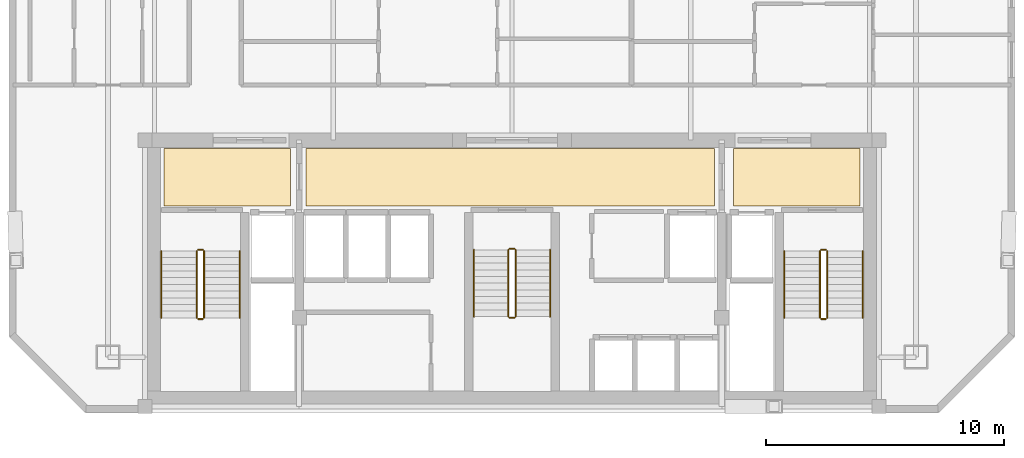
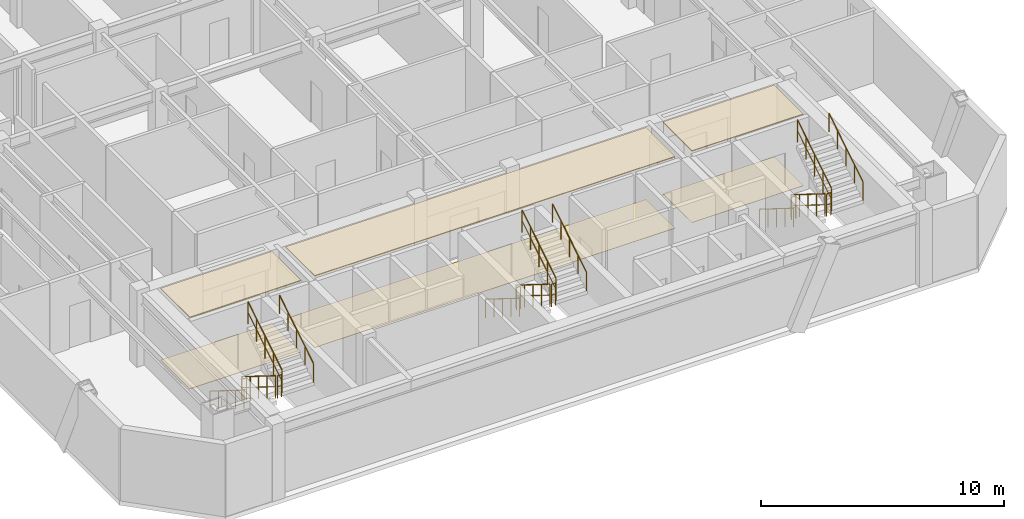
# One storey, part 7 of 7: 18 railings, 6 coverings.
"""IFC4 building model written with IfcOpenShell, lengths in metres."""

from ifc_helpers import new_model, si_unit, direction, frame, origin, origin_2d, place, context, subcontext, project, spatial, polyline, circle, outline, extrude, material, layer, layer_set, type_object, element, save


model = new_model("IFC4")

# Units and contexts
model_context = context("Model", 3, precision=1e-05, world=origin(), true_north=direction((0.0, 1.0)))
body_context = subcontext(model_context, "Body", "Model", "MODEL_VIEW")
ifc_project = project(units=[si_unit("LENGTHUNIT", "METRE"), si_unit("AREAUNIT", "SQUARE_METRE"), si_unit("VOLUMEUNIT", "CUBIC_METRE"), si_unit("PLANEANGLEUNIT", "RADIAN"), si_unit("MASSUNIT", "GRAM", prefix="KILO")], contexts=[model_context])

# Site, building, storey
site_placement = place(None, origin())
site = spatial("IfcSite", under=ifc_project, at=site_placement, CompositionType="ELEMENT")
building_placement = place(site_placement, origin())
building = spatial("IfcBuilding", under=site, at=building_placement, Name="Ventersveld Concourse Tower", CompositionType="ELEMENT")
storey_placement = place(building_placement, frame((0.0, 0.0, 238.800048828125)))
storey = spatial("IfcBuildingStorey", under=building, at=storey_placement, Name="L59", CompositionType="ELEMENT", Elevation=238.800048828125)

# Coverings
ifc_material_1 = material(Name="Mineral-fibre acoustic ceiling tile", Category="gypsum")
ifc_layer_1 = layer(ifc_material_1, 0.0400390625)
ifc_layer_set_1 = layer_set([ifc_layer_1], Name="Mineral-fibre acoustic ceiling tile")
covering_type_1 = type_object("IfcCoveringType", Name="COV-CEIL-ACOUSTIC", PredefinedType="CEILING", material=ifc_layer_set_1)
covering_1_placement = place(storey_placement, frame((0.0, 0.0, 3.58984375)))
element("IfcCovering", 1, at=covering_1_placement, inside=storey, type_object=covering_type_1, Name="L59 North Lift Lobby Acoustic Ceiling", PredefinedType="CEILING", context=body_context, shape_type="SweptSolid", body=[
    extrude(outline(polyline([(20.10009765625, 8.699951171875), (37.25, 8.699951171875), (37.25, 11.10009765625), (20.10009765625, 11.10009765625), (20.10009765625, 8.699951171875)])), origin(), (0.0, 0.0, 1.0), 0.0400390625),
])
covering_2_placement = place(storey_placement, frame((0.0, 0.0, 3.58984375)))
element("IfcCovering", 2, at=covering_2_placement, inside=storey, type_object=covering_type_1, Name="L59 West Firefighting Lobby Acoustic Ceiling", PredefinedType="CEILING", context=body_context, shape_type="SweptSolid", body=[
    extrude(outline(polyline([(14.14990234375, 8.699951171875), (19.449951171875, 8.699951171875), (19.449951171875, 11.10009765625), (14.14990234375, 11.10009765625), (14.14990234375, 8.699951171875)])), origin(), (0.0, 0.0, 1.0), 0.0400390625),
])
covering_3_placement = place(storey_placement, frame((0.0, 0.0, 3.58984375)))
element("IfcCovering", 3, at=covering_3_placement, inside=storey, type_object=covering_type_1, Name="L59 East Firefighting Lobby Acoustic Ceiling", PredefinedType="CEILING", context=body_context, shape_type="SweptSolid", body=[
    extrude(outline(polyline([(38.050048828125, 8.699951171875), (43.35009765625, 8.699951171875), (43.35009765625, 11.10009765625), (38.050048828125, 11.10009765625), (38.050048828125, 8.699951171875)])), origin(), (0.0, 0.0, 1.0), 0.0400390625),
])
ifc_material_2 = material(Name="Polished Highveld granite terrazzo", Category="masonry")
ifc_layer_2 = layer(ifc_material_2, 0.02001953125)
ifc_layer_set_2 = layer_set([ifc_layer_2], Name="Polished Highveld granite terrazzo")
covering_type_2 = type_object("IfcCoveringType", Name="COV-FLOOR-TERRAZZO", PredefinedType="FLOORING", material=ifc_layer_set_2)
covering_4_placement = place(storey_placement, origin())
element("IfcCovering", 4, at=covering_4_placement, inside=storey, type_object=covering_type_2, Name="L59 North Lift Lobby Terrazzo Flooring", PredefinedType="FLOORING", context=body_context, shape_type="SweptSolid", body=[
    extrude(outline(polyline([(20.10009765625, 8.699951171875), (37.25, 8.699951171875), (37.25, 11.10009765625), (20.10009765625, 11.10009765625), (20.10009765625, 8.699951171875)])), origin(), (0.0, 0.0, 1.0), 0.02001953125),
])
covering_5_placement = place(storey_placement, origin())
element("IfcCovering", 5, at=covering_5_placement, inside=storey, type_object=covering_type_2, Name="L59 West Firefighting Lobby Terrazzo Flooring", PredefinedType="FLOORING", context=body_context, shape_type="SweptSolid", body=[
    extrude(outline(polyline([(14.14990234375, 8.699951171875), (19.449951171875, 8.699951171875), (19.449951171875, 11.10009765625), (14.14990234375, 11.10009765625), (14.14990234375, 8.699951171875)])), origin(), (0.0, 0.0, 1.0), 0.02001953125),
])
covering_6_placement = place(storey_placement, origin())
element("IfcCovering", 6, at=covering_6_placement, inside=storey, type_object=covering_type_2, Name="L59 East Firefighting Lobby Terrazzo Flooring", PredefinedType="FLOORING", context=body_context, shape_type="SweptSolid", body=[
    extrude(outline(polyline([(38.050048828125, 8.699951171875), (43.35009765625, 8.699951171875), (43.35009765625, 11.10009765625), (38.050048828125, 11.10009765625), (38.050048828125, 8.699951171875)])), origin(), (0.0, 0.0, 1.0), 0.02001953125),
])

# Railings
ifc_material_3 = material(Name="Brushed stainless steel 316", Category="steel")
railing_type_1 = type_object("IfcRailingType", Name="GD-BAL-115", PredefinedType="GUARDRAIL", material=ifc_material_3)
railing_1_placement = place(storey_placement, frame((15.530029296875, 6.800048828125, 0.175048828125)))
element("IfcRailing", 7, at=railing_1_placement, inside=storey, type_object=railing_type_1, Name="L59 ST-01 stair guard 1", PredefinedType="GUARDRAIL", context=body_context, shape_type="SweptSolid", body=[
    extrude(circle(Radius=0.02392578125, at=origin_2d()), frame((0.0, 0.0, 1.1259765625), z_axis=(0.0, -0.848002457836, 0.529992293815), x_axis=(1.0, 0.0, 0.0)), (0.0, 0.0, 1.0), 3.302001953125),
    extrude(circle(Radius=0.01611328125, at=origin_2d()), frame((0.0, 0.0, 0.574951171875), z_axis=(0.0, -0.848002457836, 0.529992293815), x_axis=(1.0, 0.0, 0.0)), (0.0, 0.0, 1.0), 3.302001953125),
    extrude(circle(Radius=0.02099609375, at=origin_2d()), origin(), (0.0, 0.0, 1.0), 1.101806640625),
    extrude(circle(Radius=0.02099609375, at=origin_2d()), frame((0.0, -0.699951171875, 0.4375)), (0.0, 0.0, 1.0), 1.101806640625),
    extrude(circle(Radius=0.02099609375, at=origin_2d()), frame((0.0, -1.39990234375, 0.875)), (0.0, 0.0, 1.0), 1.101806640625),
    extrude(circle(Radius=0.02099609375, at=origin_2d()), frame((0.0, -2.10009765625, 1.3125)), (0.0, 0.0, 1.0), 1.101806640625),
    extrude(circle(Radius=0.02099609375, at=origin_2d()), frame((0.0, -2.800048828125, 1.75)), (0.0, 0.0, 1.0), 1.101806640625),
])
railing_2_placement = place(storey_placement, frame((15.580078125, 3.949951171875, 1.925048828125)))
element("IfcRailing", 8, at=railing_2_placement, inside=storey, type_object=railing_type_1, Name="L59 ST-01 stair guard 2", PredefinedType="GUARDRAIL", context=body_context, shape_type="SweptSolid", body=[
    extrude(circle(Radius=0.02392578125, at=origin_2d()), frame((0.0, 0.0, 1.1259765625), z_axis=(1.0, 0.0, 0.0), x_axis=(0.0, 1.0, 0.0)), (0.0, 0.0, 1.0), 0.199951171875),
    extrude(circle(Radius=0.01611328125, at=origin_2d()), frame((0.0, 0.0, 0.574951171875), z_axis=(1.0, 0.0, 0.0), x_axis=(0.0, 1.0, 0.0)), (0.0, 0.0, 1.0), 0.199951171875),
    extrude(circle(Radius=0.02099609375, at=origin_2d()), origin(), (0.0, 0.0, 1.0), 1.101806640625),
    extrude(circle(Radius=0.02099609375, at=origin_2d()), frame((0.199951171875, 0.0, 0.0)), (0.0, 0.0, 1.0), 1.101806640625),
])
railing_3_placement = place(storey_placement, frame((15.830078125, 4.0, 2.099853515625)))
element("IfcRailing", 9, at=railing_3_placement, inside=storey, type_object=railing_type_1, Name="L59 ST-01 stair guard 3", PredefinedType="GUARDRAIL", context=body_context, shape_type="SweptSolid", body=[
    extrude(circle(Radius=0.02392578125, at=origin_2d()), frame((0.0, 0.0, 1.1259765625), z_axis=(0.0, 0.848002457836, 0.529992293815), x_axis=(-1.0, 0.0, 0.0)), (0.0, 0.0, 1.0), 3.302001953125),
    extrude(circle(Radius=0.01611328125, at=origin_2d()), frame((0.0, 0.0, 0.574951171875), z_axis=(0.0, 0.848002457836, 0.529992293815), x_axis=(-1.0, 0.0, 0.0)), (0.0, 0.0, 1.0), 3.302001953125),
    extrude(circle(Radius=0.02099609375, at=origin_2d()), origin(), (0.0, 0.0, 1.0), 1.101806640625),
    extrude(circle(Radius=0.02099609375, at=origin_2d()), frame((0.0, 0.699951171875, 0.4375)), (0.0, 0.0, 1.0), 1.101806640625),
    extrude(circle(Radius=0.02099609375, at=origin_2d()), frame((0.0, 1.39990234375, 0.875)), (0.0, 0.0, 1.0), 1.101806640625),
    extrude(circle(Radius=0.02099609375, at=origin_2d()), frame((0.0, 2.10009765625, 1.3125)), (0.0, 0.0, 1.0), 1.101806640625),
    extrude(circle(Radius=0.02099609375, at=origin_2d()), frame((0.0, 2.800048828125, 1.75)), (0.0, 0.0, 1.0), 1.101806640625),
])
railing_4_placement = place(storey_placement, frame((15.580078125, 6.85009765625, 0.0)))
element("IfcRailing", 10, at=railing_4_placement, inside=storey, type_object=railing_type_1, Name="L59 ST-01 stair guard 4", PredefinedType="GUARDRAIL", context=body_context, shape_type="SweptSolid", body=[
    extrude(circle(Radius=0.02392578125, at=origin_2d()), frame((0.0, 0.0, 1.1259765625), z_axis=(1.0, 0.0, 0.0), x_axis=(0.0, 1.0, 0.0)), (0.0, 0.0, 1.0), 0.199951171875),
    extrude(circle(Radius=0.01611328125, at=origin_2d()), frame((0.0, 0.0, 0.574951171875), z_axis=(1.0, 0.0, 0.0), x_axis=(0.0, 1.0, 0.0)), (0.0, 0.0, 1.0), 0.199951171875),
    extrude(circle(Radius=0.02099609375, at=origin_2d()), origin(), (0.0, 0.0, 1.0), 1.101806640625),
    extrude(circle(Radius=0.02099609375, at=origin_2d()), frame((0.199951171875, 0.0, 0.0)), (0.0, 0.0, 1.0), 1.101806640625),
])
railing_5_placement = place(storey_placement, frame((41.669921875, 6.800048828125, 0.175048828125)))
element("IfcRailing", 11, at=railing_5_placement, inside=storey, type_object=railing_type_1, Name="L59 ST-02 stair guard 1", PredefinedType="GUARDRAIL", context=body_context, shape_type="SweptSolid", body=[
    extrude(circle(Radius=0.02392578125, at=origin_2d()), frame((0.0, 0.0, 1.1259765625), z_axis=(0.0, -0.848002457836, 0.529992293815), x_axis=(1.0, 0.0, 0.0)), (0.0, 0.0, 1.0), 3.302001953125),
    extrude(circle(Radius=0.01611328125, at=origin_2d()), frame((0.0, 0.0, 0.574951171875), z_axis=(0.0, -0.848002457836, 0.529992293815), x_axis=(1.0, 0.0, 0.0)), (0.0, 0.0, 1.0), 3.302001953125),
    extrude(circle(Radius=0.02099609375, at=origin_2d()), origin(), (0.0, 0.0, 1.0), 1.101806640625),
    extrude(circle(Radius=0.02099609375, at=origin_2d()), frame((0.0, -0.699951171875, 0.4375)), (0.0, 0.0, 1.0), 1.101806640625),
    extrude(circle(Radius=0.02099609375, at=origin_2d()), frame((0.0, -1.39990234375, 0.875)), (0.0, 0.0, 1.0), 1.101806640625),
    extrude(circle(Radius=0.02099609375, at=origin_2d()), frame((0.0, -2.10009765625, 1.3125)), (0.0, 0.0, 1.0), 1.101806640625),
    extrude(circle(Radius=0.02099609375, at=origin_2d()), frame((0.0, -2.800048828125, 1.75)), (0.0, 0.0, 1.0), 1.101806640625),
])
railing_6_placement = place(storey_placement, frame((41.719970703125, 3.949951171875, 1.925048828125)))
element("IfcRailing", 12, at=railing_6_placement, inside=storey, type_object=railing_type_1, Name="L59 ST-02 stair guard 2", PredefinedType="GUARDRAIL", context=body_context, shape_type="SweptSolid", body=[
    extrude(circle(Radius=0.02392578125, at=origin_2d()), frame((0.0, 0.0, 1.1259765625), z_axis=(1.0, 0.0, 0.0), x_axis=(0.0, 1.0, 0.0)), (0.0, 0.0, 1.0), 0.199951171875),
    extrude(circle(Radius=0.01611328125, at=origin_2d()), frame((0.0, 0.0, 0.574951171875), z_axis=(1.0, 0.0, 0.0), x_axis=(0.0, 1.0, 0.0)), (0.0, 0.0, 1.0), 0.199951171875),
    extrude(circle(Radius=0.02099609375, at=origin_2d()), origin(), (0.0, 0.0, 1.0), 1.101806640625),
    extrude(circle(Radius=0.02099609375, at=origin_2d()), frame((0.199951171875, 0.0, 0.0)), (0.0, 0.0, 1.0), 1.101806640625),
])
railing_7_placement = place(storey_placement, frame((41.969970703125, 4.0, 2.099853515625)))
element("IfcRailing", 13, at=railing_7_placement, inside=storey, type_object=railing_type_1, Name="L59 ST-02 stair guard 3", PredefinedType="GUARDRAIL", context=body_context, shape_type="SweptSolid", body=[
    extrude(circle(Radius=0.02392578125, at=origin_2d()), frame((0.0, 0.0, 1.1259765625), z_axis=(0.0, 0.848002457836, 0.529992293815), x_axis=(-1.0, 0.0, 0.0)), (0.0, 0.0, 1.0), 3.302001953125),
    extrude(circle(Radius=0.01611328125, at=origin_2d()), frame((0.0, 0.0, 0.574951171875), z_axis=(0.0, 0.848002457836, 0.529992293815), x_axis=(-1.0, 0.0, 0.0)), (0.0, 0.0, 1.0), 3.302001953125),
    extrude(circle(Radius=0.02099609375, at=origin_2d()), origin(), (0.0, 0.0, 1.0), 1.101806640625),
    extrude(circle(Radius=0.02099609375, at=origin_2d()), frame((0.0, 0.699951171875, 0.4375)), (0.0, 0.0, 1.0), 1.101806640625),
    extrude(circle(Radius=0.02099609375, at=origin_2d()), frame((0.0, 1.39990234375, 0.875)), (0.0, 0.0, 1.0), 1.101806640625),
    extrude(circle(Radius=0.02099609375, at=origin_2d()), frame((0.0, 2.10009765625, 1.3125)), (0.0, 0.0, 1.0), 1.101806640625),
    extrude(circle(Radius=0.02099609375, at=origin_2d()), frame((0.0, 2.800048828125, 1.75)), (0.0, 0.0, 1.0), 1.101806640625),
])
railing_8_placement = place(storey_placement, frame((41.719970703125, 6.85009765625, 0.0)))
element("IfcRailing", 14, at=railing_8_placement, inside=storey, type_object=railing_type_1, Name="L59 ST-02 stair guard 4", PredefinedType="GUARDRAIL", context=body_context, shape_type="SweptSolid", body=[
    extrude(circle(Radius=0.02392578125, at=origin_2d()), frame((0.0, 0.0, 1.1259765625), z_axis=(1.0, 0.0, 0.0), x_axis=(0.0, 1.0, 0.0)), (0.0, 0.0, 1.0), 0.199951171875),
    extrude(circle(Radius=0.01611328125, at=origin_2d()), frame((0.0, 0.0, 0.574951171875), z_axis=(1.0, 0.0, 0.0), x_axis=(0.0, 1.0, 0.0)), (0.0, 0.0, 1.0), 0.199951171875),
    extrude(circle(Radius=0.02099609375, at=origin_2d()), origin(), (0.0, 0.0, 1.0), 1.101806640625),
    extrude(circle(Radius=0.02099609375, at=origin_2d()), frame((0.199951171875, 0.0, 0.0)), (0.0, 0.0, 1.0), 1.101806640625),
])
railing_9_placement = place(storey_placement, frame((28.60009765625, 6.85009765625, 0.175048828125)))
element("IfcRailing", 15, at=railing_9_placement, inside=storey, type_object=railing_type_1, Name="L59 ST-03 stair guard 1", PredefinedType="GUARDRAIL", context=body_context, shape_type="SweptSolid", body=[
    extrude(circle(Radius=0.02392578125, at=origin_2d()), frame((0.0, 0.0, 1.1259765625), z_axis=(0.0, -0.848002457836, 0.529992293815), x_axis=(1.0, 0.0, 0.0)), (0.0, 0.0, 1.0), 3.302001953125),
    extrude(circle(Radius=0.01611328125, at=origin_2d()), frame((0.0, 0.0, 0.574951171875), z_axis=(0.0, -0.848002457836, 0.529992293815), x_axis=(1.0, 0.0, 0.0)), (0.0, 0.0, 1.0), 3.302001953125),
    extrude(circle(Radius=0.02099609375, at=origin_2d()), origin(), (0.0, 0.0, 1.0), 1.101806640625),
    extrude(circle(Radius=0.02099609375, at=origin_2d()), frame((0.0, -0.699951171875, 0.4375)), (0.0, 0.0, 1.0), 1.101806640625),
    extrude(circle(Radius=0.02099609375, at=origin_2d()), frame((0.0, -1.39990234375, 0.875)), (0.0, 0.0, 1.0), 1.101806640625),
    extrude(circle(Radius=0.02099609375, at=origin_2d()), frame((0.0, -2.10009765625, 1.3125)), (0.0, 0.0, 1.0), 1.101806640625),
    extrude(circle(Radius=0.02099609375, at=origin_2d()), frame((0.0, -2.800048828125, 1.75)), (0.0, 0.0, 1.0), 1.101806640625),
])
railing_10_placement = place(storey_placement, frame((28.64990234375, 4.0, 1.925048828125)))
element("IfcRailing", 16, at=railing_10_placement, inside=storey, type_object=railing_type_1, Name="L59 ST-03 stair guard 2", PredefinedType="GUARDRAIL", context=body_context, shape_type="SweptSolid", body=[
    extrude(circle(Radius=0.02392578125, at=origin_2d()), frame((0.0, 0.0, 1.1259765625), z_axis=(1.0, 0.0, 0.0), x_axis=(0.0, 1.0, 0.0)), (0.0, 0.0, 1.0), 0.2001953125),
    extrude(circle(Radius=0.01611328125, at=origin_2d()), frame((0.0, 0.0, 0.574951171875), z_axis=(1.0, 0.0, 0.0), x_axis=(0.0, 1.0, 0.0)), (0.0, 0.0, 1.0), 0.2001953125),
    extrude(circle(Radius=0.02099609375, at=origin_2d()), origin(), (0.0, 0.0, 1.0), 1.101806640625),
    extrude(circle(Radius=0.02099609375, at=origin_2d()), frame((0.2001953125, 0.0, 0.0)), (0.0, 0.0, 1.0), 1.101806640625),
])
railing_11_placement = place(storey_placement, frame((28.89990234375, 4.050048828125, 2.099853515625)))
element("IfcRailing", 17, at=railing_11_placement, inside=storey, type_object=railing_type_1, Name="L59 ST-03 stair guard 3", PredefinedType="GUARDRAIL", context=body_context, shape_type="SweptSolid", body=[
    extrude(circle(Radius=0.02392578125, at=origin_2d()), frame((0.0, 0.0, 1.1259765625), z_axis=(0.0, 0.848002457836, 0.529992293815), x_axis=(-1.0, 0.0, 0.0)), (0.0, 0.0, 1.0), 3.302001953125),
    extrude(circle(Radius=0.01611328125, at=origin_2d()), frame((0.0, 0.0, 0.574951171875), z_axis=(0.0, 0.848002457836, 0.529992293815), x_axis=(-1.0, 0.0, 0.0)), (0.0, 0.0, 1.0), 3.302001953125),
    extrude(circle(Radius=0.02099609375, at=origin_2d()), origin(), (0.0, 0.0, 1.0), 1.101806640625),
    extrude(circle(Radius=0.02099609375, at=origin_2d()), frame((0.0, 0.699951171875, 0.4375)), (0.0, 0.0, 1.0), 1.101806640625),
    extrude(circle(Radius=0.02099609375, at=origin_2d()), frame((0.0, 1.39990234375, 0.875)), (0.0, 0.0, 1.0), 1.101806640625),
    extrude(circle(Radius=0.02099609375, at=origin_2d()), frame((0.0, 2.10009765625, 1.3125)), (0.0, 0.0, 1.0), 1.101806640625),
    extrude(circle(Radius=0.02099609375, at=origin_2d()), frame((0.0, 2.800048828125, 1.75)), (0.0, 0.0, 1.0), 1.101806640625),
])
railing_12_placement = place(storey_placement, frame((28.64990234375, 6.89990234375, 0.0)))
element("IfcRailing", 18, at=railing_12_placement, inside=storey, type_object=railing_type_1, Name="L59 ST-03 stair guard 4", PredefinedType="GUARDRAIL", context=body_context, shape_type="SweptSolid", body=[
    extrude(circle(Radius=0.02392578125, at=origin_2d()), frame((0.0, 0.0, 1.1259765625), z_axis=(1.0, 0.0, 0.0), x_axis=(0.0, 1.0, 0.0)), (0.0, 0.0, 1.0), 0.2001953125),
    extrude(circle(Radius=0.01611328125, at=origin_2d()), frame((0.0, 0.0, 0.574951171875), z_axis=(1.0, 0.0, 0.0), x_axis=(0.0, 1.0, 0.0)), (0.0, 0.0, 1.0), 0.2001953125),
    extrude(circle(Radius=0.02099609375, at=origin_2d()), origin(), (0.0, 0.0, 1.0), 1.101806640625),
    extrude(circle(Radius=0.02099609375, at=origin_2d()), frame((0.2001953125, 0.0, 0.0)), (0.0, 0.0, 1.0), 1.101806640625),
])
railing_type_2 = type_object("IfcRailingType", Name="HR-RMP-095", PredefinedType="HANDRAIL", material=ifc_material_3)
railing_13_placement = place(storey_placement, frame((14.030029296875, 6.800048828125, 0.175048828125)))
element("IfcRailing", 19, at=railing_13_placement, inside=storey, type_object=railing_type_2, Name="L59 ST-01 stair handrail 1", PredefinedType="HANDRAIL", context=body_context, shape_type="SweptSolid", body=[
    extrude(circle(Radius=0.02392578125, at=origin_2d()), frame((0.0, 0.0, 0.92578125), z_axis=(0.0, -0.848002457836, 0.529992293815), x_axis=(1.0, 0.0, 0.0)), (0.0, 0.0, 1.0), 3.302001953125),
    extrude(circle(Radius=0.02099609375, at=origin_2d()), origin(), (0.0, 0.0, 1.0), 0.90185546875),
    extrude(circle(Radius=0.02099609375, at=origin_2d()), frame((0.0, -0.699951171875, 0.4375)), (0.0, 0.0, 1.0), 0.90185546875),
    extrude(circle(Radius=0.02099609375, at=origin_2d()), frame((0.0, -1.39990234375, 0.875)), (0.0, 0.0, 1.0), 0.90185546875),
    extrude(circle(Radius=0.02099609375, at=origin_2d()), frame((0.0, -2.10009765625, 1.3125)), (0.0, 0.0, 1.0), 0.90185546875),
    extrude(circle(Radius=0.02099609375, at=origin_2d()), frame((0.0, -2.800048828125, 1.75)), (0.0, 0.0, 1.0), 0.90185546875),
])
railing_14_placement = place(storey_placement, frame((17.330078125, 4.0, 2.099853515625)))
element("IfcRailing", 20, at=railing_14_placement, inside=storey, type_object=railing_type_2, Name="L59 ST-01 stair handrail 2", PredefinedType="HANDRAIL", context=body_context, shape_type="SweptSolid", body=[
    extrude(circle(Radius=0.02392578125, at=origin_2d()), frame((0.0, 0.0, 0.92578125), z_axis=(0.0, 0.848002457836, 0.529992293815), x_axis=(-1.0, 0.0, 0.0)), (0.0, 0.0, 1.0), 3.302001953125),
    extrude(circle(Radius=0.02099609375, at=origin_2d()), origin(), (0.0, 0.0, 1.0), 0.90185546875),
    extrude(circle(Radius=0.02099609375, at=origin_2d()), frame((0.0, 0.699951171875, 0.4375)), (0.0, 0.0, 1.0), 0.90185546875),
    extrude(circle(Radius=0.02099609375, at=origin_2d()), frame((0.0, 1.39990234375, 0.875)), (0.0, 0.0, 1.0), 0.90185546875),
    extrude(circle(Radius=0.02099609375, at=origin_2d()), frame((0.0, 2.10009765625, 1.3125)), (0.0, 0.0, 1.0), 0.90185546875),
    extrude(circle(Radius=0.02099609375, at=origin_2d()), frame((0.0, 2.800048828125, 1.75)), (0.0, 0.0, 1.0), 0.90185546875),
])
railing_15_placement = place(storey_placement, frame((40.169921875, 6.800048828125, 0.175048828125)))
element("IfcRailing", 21, at=railing_15_placement, inside=storey, type_object=railing_type_2, Name="L59 ST-02 stair handrail 1", PredefinedType="HANDRAIL", context=body_context, shape_type="SweptSolid", body=[
    extrude(circle(Radius=0.02392578125, at=origin_2d()), frame((0.0, 0.0, 0.92578125), z_axis=(0.0, -0.848002457836, 0.529992293815), x_axis=(1.0, 0.0, 0.0)), (0.0, 0.0, 1.0), 3.302001953125),
    extrude(circle(Radius=0.02099609375, at=origin_2d()), origin(), (0.0, 0.0, 1.0), 0.90185546875),
    extrude(circle(Radius=0.02099609375, at=origin_2d()), frame((0.0, -0.699951171875, 0.4375)), (0.0, 0.0, 1.0), 0.90185546875),
    extrude(circle(Radius=0.02099609375, at=origin_2d()), frame((0.0, -1.39990234375, 0.875)), (0.0, 0.0, 1.0), 0.90185546875),
    extrude(circle(Radius=0.02099609375, at=origin_2d()), frame((0.0, -2.10009765625, 1.3125)), (0.0, 0.0, 1.0), 0.90185546875),
    extrude(circle(Radius=0.02099609375, at=origin_2d()), frame((0.0, -2.800048828125, 1.75)), (0.0, 0.0, 1.0), 0.90185546875),
])
railing_16_placement = place(storey_placement, frame((43.469970703125, 4.0, 2.099853515625)))
element("IfcRailing", 22, at=railing_16_placement, inside=storey, type_object=railing_type_2, Name="L59 ST-02 stair handrail 2", PredefinedType="HANDRAIL", context=body_context, shape_type="SweptSolid", body=[
    extrude(circle(Radius=0.02392578125, at=origin_2d()), frame((0.0, 0.0, 0.92578125), z_axis=(0.0, 0.848002457836, 0.529992293815), x_axis=(-1.0, 0.0, 0.0)), (0.0, 0.0, 1.0), 3.302001953125),
    extrude(circle(Radius=0.02099609375, at=origin_2d()), origin(), (0.0, 0.0, 1.0), 0.90185546875),
    extrude(circle(Radius=0.02099609375, at=origin_2d()), frame((0.0, 0.699951171875, 0.4375)), (0.0, 0.0, 1.0), 0.90185546875),
    extrude(circle(Radius=0.02099609375, at=origin_2d()), frame((0.0, 1.39990234375, 0.875)), (0.0, 0.0, 1.0), 0.90185546875),
    extrude(circle(Radius=0.02099609375, at=origin_2d()), frame((0.0, 2.10009765625, 1.3125)), (0.0, 0.0, 1.0), 0.90185546875),
    extrude(circle(Radius=0.02099609375, at=origin_2d()), frame((0.0, 2.800048828125, 1.75)), (0.0, 0.0, 1.0), 0.90185546875),
])
railing_17_placement = place(storey_placement, frame((27.14990234375, 6.85009765625, 0.175048828125)))
element("IfcRailing", 23, at=railing_17_placement, inside=storey, type_object=railing_type_2, Name="L59 ST-03 stair handrail 1", PredefinedType="HANDRAIL", context=body_context, shape_type="SweptSolid", body=[
    extrude(circle(Radius=0.02392578125, at=origin_2d()), frame((0.0, 0.0, 0.92578125), z_axis=(0.0, -0.848002457836, 0.529992293815), x_axis=(1.0, 0.0, 0.0)), (0.0, 0.0, 1.0), 3.302001953125),
    extrude(circle(Radius=0.02099609375, at=origin_2d()), origin(), (0.0, 0.0, 1.0), 0.90185546875),
    extrude(circle(Radius=0.02099609375, at=origin_2d()), frame((0.0, -0.699951171875, 0.4375)), (0.0, 0.0, 1.0), 0.90185546875),
    extrude(circle(Radius=0.02099609375, at=origin_2d()), frame((0.0, -1.39990234375, 0.875)), (0.0, 0.0, 1.0), 0.90185546875),
    extrude(circle(Radius=0.02099609375, at=origin_2d()), frame((0.0, -2.10009765625, 1.3125)), (0.0, 0.0, 1.0), 0.90185546875),
    extrude(circle(Radius=0.02099609375, at=origin_2d()), frame((0.0, -2.800048828125, 1.75)), (0.0, 0.0, 1.0), 0.90185546875),
])
railing_18_placement = place(storey_placement, frame((30.35009765625, 4.050048828125, 2.099853515625)))
element("IfcRailing", 24, at=railing_18_placement, inside=storey, type_object=railing_type_2, Name="L59 ST-03 stair handrail 2", PredefinedType="HANDRAIL", context=body_context, shape_type="SweptSolid", body=[
    extrude(circle(Radius=0.02392578125, at=origin_2d()), frame((0.0, 0.0, 0.92578125), z_axis=(0.0, 0.848002457836, 0.529992293815), x_axis=(-1.0, 0.0, 0.0)), (0.0, 0.0, 1.0), 3.302001953125),
    extrude(circle(Radius=0.02099609375, at=origin_2d()), origin(), (0.0, 0.0, 1.0), 0.90185546875),
    extrude(circle(Radius=0.02099609375, at=origin_2d()), frame((0.0, 0.699951171875, 0.4375)), (0.0, 0.0, 1.0), 0.90185546875),
    extrude(circle(Radius=0.02099609375, at=origin_2d()), frame((0.0, 1.39990234375, 0.875)), (0.0, 0.0, 1.0), 0.90185546875),
    extrude(circle(Radius=0.02099609375, at=origin_2d()), frame((0.0, 2.10009765625, 1.3125)), (0.0, 0.0, 1.0), 0.90185546875),
    extrude(circle(Radius=0.02099609375, at=origin_2d()), frame((0.0, 2.800048828125, 1.75)), (0.0, 0.0, 1.0), 0.90185546875),
])

save(model, "model.ifc")
